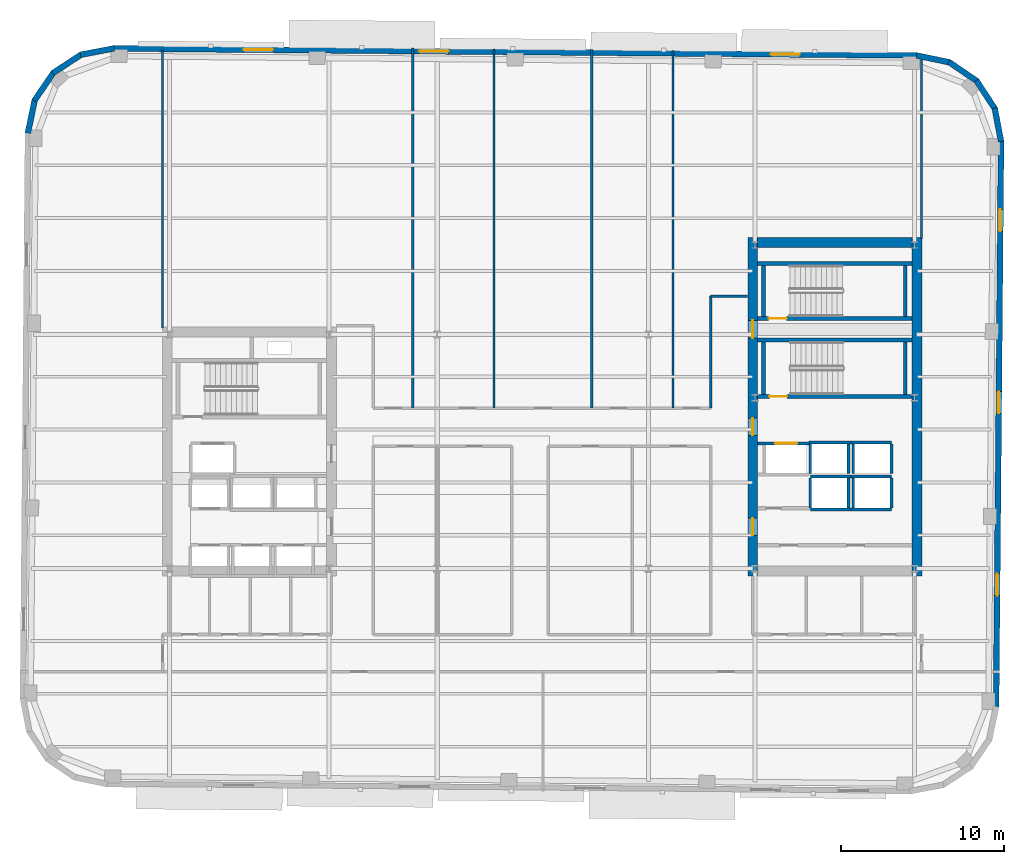
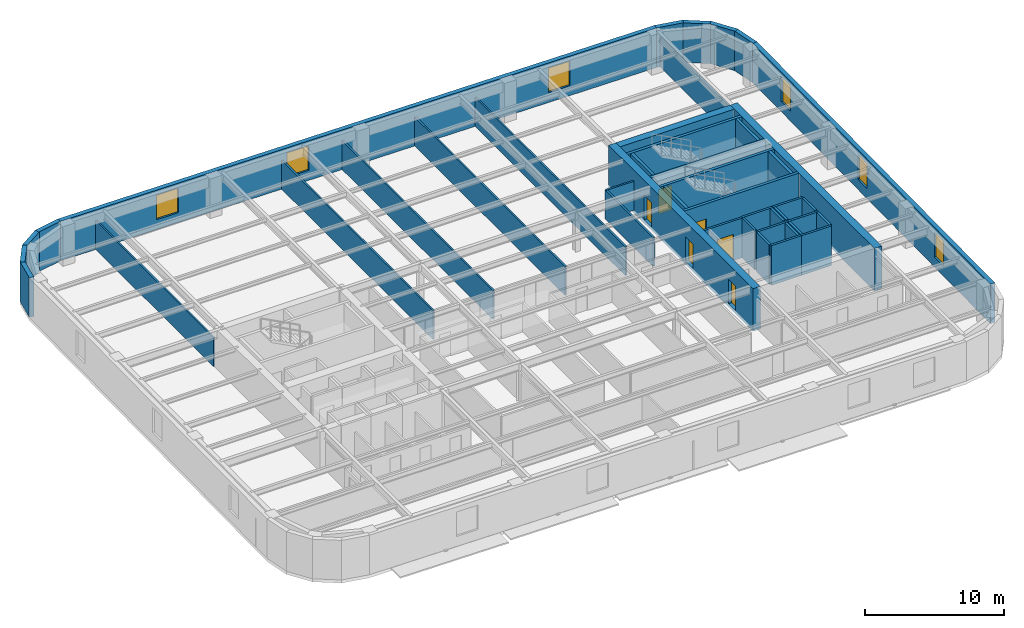
# One storey, part 6 of 11: 44 walls, 6 doors, 6 windows, 12 openings.
"""IFC4 building model written with IfcOpenShell, lengths in metres."""

from ifc_helpers import new_model, si_unit, direction, frame, frame_2d, origin, place, context, subcontext, project, spatial, rectangle, extrude, material, layer, layer_set, type_object, element, fill, save


model = new_model("IFC4")

# Units and contexts
model_context = context("Model", 3, precision=1e-05, world=origin(), true_north=direction((0.0, 1.0)))
body_context = subcontext(model_context, "Body", "Model", "MODEL_VIEW")
ifc_project = project(units=[si_unit("LENGTHUNIT", "METRE"), si_unit("AREAUNIT", "SQUARE_METRE"), si_unit("VOLUMEUNIT", "CUBIC_METRE"), si_unit("PLANEANGLEUNIT", "RADIAN"), si_unit("MASSUNIT", "GRAM", prefix="KILO")], contexts=[model_context])

# Site, building, storey
site_placement = place(None, origin())
site = spatial("IfcSite", under=ifc_project, at=site_placement, CompositionType="ELEMENT")
building_placement = place(site_placement, origin())
building = spatial("IfcBuilding", under=site, at=building_placement, Name="Kolvaren Arena Tower", CompositionType="ELEMENT")
storey_placement = place(building_placement, frame((0.0, 0.0, 180.949951171875)))
storey = spatial("IfcBuildingStorey", under=building, at=storey_placement, Name="L43", CompositionType="ELEMENT", Elevation=180.949951171875)

# Walls
ifc_material_1 = material(Name="Gypsum board acoustic assembly", Category="gypsum")
ifc_layer_1 = layer(ifc_material_1, 0.159912109375)
ifc_layer_set_1 = layer_set([ifc_layer_1], Name="Gypsum board acoustic assembly")
wall_type_1 = type_object("IfcWallType", Name="CORR-160", PredefinedType="PARTITIONING", material=ifc_layer_set_1)
wall_1_placement = place(storey_placement, frame((47.820068359375, 29.320068359375, 0.0), z_axis=(0.0, 0.0, 1.0), x_axis=(0.0, 1.0, 0.0)))
element("IfcWall", 1, at=wall_1_placement, inside=storey, type_object=wall_type_1, Name="Interior Partition Wall (L43)", PredefinedType="PARTITIONING", context=body_context, shape_type="SweptSolid", body=[
    extrude(rectangle(XDim=6.8798828125, YDim=0.159912109375, at=frame_2d((3.43994140625, 0.0))), origin(), (0.0, 0.0, 1.0), 2.5400390625),
])
wall_2_placement = place(storey_placement, frame((47.820068359375, 36.199951171875, 0.0), z_axis=(0.0, 0.0, 1.0), x_axis=(1.0, 0.0, 0.0)))
element("IfcWall", 2, at=wall_2_placement, inside=storey, type_object=wall_type_1, Name="Interior Partition Wall (L43)", PredefinedType="PARTITIONING", context=body_context, shape_type="SweptSolid", body=[
    extrude(rectangle(XDim=2.260009765625, YDim=0.159912109375, at=frame_2d((1.1298828125, 0.0))), origin(), (0.0, 0.0, 1.0), 2.5400390625),
])

# Wall, openings, doors
ifc_material_2 = material(Name="Concrete 60 MPa", Category="concrete")
ifc_layer_2 = layer(ifc_material_2, 0.60009765625)
ifc_layer_set_2 = layer_set([ifc_layer_2], Name="Concrete 60 MPa")
wall_type_2 = type_object("IfcWallType", Name="CWALL-600", PredefinedType="SHEAR", material=ifc_layer_set_2)
wall_3_placement = place(storey_placement, frame((50.39990234375, 19.0, -0.27001953125), z_axis=(0.0, 0.0, 1.0), x_axis=(0.0, 1.0, 0.0)))
wall_3 = element("IfcWall", 3, at=wall_3_placement, inside=storey, type_object=wall_type_2, Name="Core Shear Wall EC-WEST (L43)", PredefinedType="SHEAR", context=body_context, shape_type="SweptSolid", body=[
    extrude(rectangle(XDim=20.800048828125, YDim=0.60009765625, at=frame_2d((10.39990234375, 0.0))), origin(), (0.0, 0.0, 1.0), 3.75),
])
opening_1_placement = place(wall_3_placement, frame((2.5, 0.0, 0.27001953125)))
opening_1 = element("IfcOpeningElement", 4, at=opening_1_placement, cuts=wall_3, Name="Opening D04", PredefinedType="OPENING", context=body_context, shape_type="SweptSolid", body=[
    extrude(rectangle(XDim=1.050048828125, YDim=2.14990234375, at=frame_2d((0.52490234375, 1.074951171875))), frame((0.0, 0.31005859375, 0.0), z_axis=(0.0, -1.0, 0.0), x_axis=(1.0, 0.0, 0.0)), (0.0, 0.0, 1.0), 0.6201171875),
])
opening_2_placement = place(wall_3_placement, frame((8.64990234375, 0.0, 0.27001953125)))
opening_2 = element("IfcOpeningElement", 5, at=opening_2_placement, cuts=wall_3, Name="Opening D04", PredefinedType="OPENING", context=body_context, shape_type="SweptSolid", body=[
    extrude(rectangle(XDim=1.050048828125, YDim=2.14990234375, at=frame_2d((0.52490234375, 1.074951171875))), frame((0.0, 0.31005859375, 0.0), z_axis=(0.0, -1.0, 0.0), x_axis=(1.0, 0.0, 0.0)), (0.0, 0.0, 1.0), 0.6201171875),
])
opening_3_placement = place(wall_3_placement, frame((14.6201171875, 0.0, 0.27001953125)))
opening_3 = element("IfcOpeningElement", 6, at=opening_3_placement, cuts=wall_3, Name="Opening D03", PredefinedType="OPENING", context=body_context, shape_type="SweptSolid", body=[
    extrude(rectangle(XDim=1.10009765625, YDim=2.14990234375, at=frame_2d((0.550048828125, 1.074951171875))), frame((0.0, 0.31005859375, 0.0), z_axis=(0.0, -1.0, 0.0), x_axis=(1.0, 0.0, 0.0)), (0.0, 0.0, 1.0), 0.6201171875),
])
ifc_material_3 = material(Name="Fire-rated steel lobby door", Category="steel")
door_type_1 = type_object("IfcDoorType", Name="DOOR-FF-105", OperationType="NOTDEFINED", PredefinedType="DOOR", material=ifc_material_3)
door_1_placement = place(opening_1_placement, origin())
door_1 = element("IfcDoor", 7, at=door_1_placement, inside=storey, type_object=door_type_1, Name="East Lift Lobby Fire Door (L43)", OperationType="SINGLE_SWING_RIGHT", OverallHeight=2.14990234375, OverallWidth=1.050048828125, PredefinedType="DOOR", context=body_context, shape_type="SweptSolid", body=[
    extrude(rectangle(XDim=1.050048828125, YDim=2.14990234375, at=frame_2d((0.52490234375, 1.074951171875))), frame((0.0, 0.02490234375, 0.0), z_axis=(0.0, -1.0, 0.0), x_axis=(1.0, 0.0, 0.0)), (0.0, 0.0, 1.0), 0.050048828125),
])
fill(opening_1, door_1)
door_2_placement = place(opening_2_placement, origin())
door_2 = element("IfcDoor", 8, at=door_2_placement, inside=storey, type_object=door_type_1, Name="East Firefighter Vestibule Door (L43)", OperationType="SINGLE_SWING_LEFT", OverallHeight=2.14990234375, OverallWidth=1.050048828125, PredefinedType="DOOR", context=body_context, shape_type="SweptSolid", body=[
    extrude(rectangle(XDim=1.050048828125, YDim=2.14990234375, at=frame_2d((0.52490234375, 1.074951171875))), frame((0.0, 0.02490234375, 0.0), z_axis=(0.0, -1.0, 0.0), x_axis=(1.0, 0.0, 0.0)), (0.0, 0.0, 1.0), 0.050048828125),
])
fill(opening_2, door_2)
ifc_material_4 = material(Name="Fire-rated steel exit stair door", Category="steel")
door_type_2 = type_object("IfcDoorType", Name="DOOR-ST-110", OperationType="NOTDEFINED", PredefinedType="DOOR", material=ifc_material_4)
door_3_placement = place(opening_3_placement, origin())
door_3 = element("IfcDoor", 9, at=door_3_placement, inside=storey, type_object=door_type_2, Name="Stair ST-E2 Vestibule Fire Door (L43)", OperationType="SINGLE_SWING_LEFT", OverallHeight=2.14990234375, OverallWidth=1.10009765625, PredefinedType="DOOR", context=body_context, shape_type="SweptSolid", body=[
    extrude(rectangle(XDim=1.10009765625, YDim=2.14990234375, at=frame_2d((0.550048828125, 1.074951171875))), frame((0.0, 0.02490234375, 0.0), z_axis=(0.0, -1.0, 0.0), x_axis=(1.0, 0.0, 0.0)), (0.0, 0.0, 1.0), 0.050048828125),
])
fill(opening_3, door_3)

# Walls
wall_4_placement = place(storey_placement, frame((60.5, 19.0, -0.27001953125), z_axis=(0.0, 0.0, 1.0), x_axis=(0.0, 1.0, 0.0)))
element("IfcWall", 10, at=wall_4_placement, inside=storey, type_object=wall_type_2, Name="Core Shear Wall EC-EAST (L43)", PredefinedType="SHEAR", context=body_context, shape_type="SweptSolid", body=[
    extrude(rectangle(XDim=20.800048828125, YDim=0.60009765625, at=frame_2d((10.39990234375, 0.0))), origin(), (0.0, 0.0, 1.0), 3.75),
])
wall_5_placement = place(storey_placement, frame((50.699951171875, 39.5, -0.27001953125), z_axis=(0.0, 0.0, 1.0), x_axis=(1.0, 0.0, 0.0)))
element("IfcWall", 11, at=wall_5_placement, inside=storey, type_object=wall_type_2, Name="Core Shear Wall EC-NORTH (L43)", PredefinedType="SHEAR", context=body_context, shape_type="SweptSolid", body=[
    extrude(rectangle(XDim=9.5, YDim=0.60009765625, at=frame_2d((4.75, 0.0))), origin(), (0.0, 0.0, 1.0), 3.75),
])

# Wall, openings, windows
ifc_material_5 = material(Name="Precast concrete C50/60", Category="concrete")
ifc_layer_3 = layer(ifc_material_5, 0.360107421875)
ifc_layer_set_3 = layer_set([ifc_layer_3], Name="Precast concrete C50/60")
wall_type_3 = type_object("IfcWallType", Name="EXT-PIER2", PredefinedType="SOLIDWALL", material=ifc_layer_set_3)
wall_6_placement = place(storey_placement, frame((65.670654296875, 45.73828125, 0.0), z_axis=(0.0, 0.0, 1.0), x_axis=(-0.008727348535, -0.999961915969, 0.0)))
wall_6 = element("IfcWall", 12, at=wall_6_placement, inside=storey, type_object=wall_type_3, Name="Exterior Precast Masonry-Frame Wall (L43)", PredefinedType="SOLIDWALL", context=body_context, shape_type="SweptSolid", body=[
    extrude(rectangle(XDim=34.7998046875, YDim=0.360107421875, at=frame_2d((17.39990234375, 0.0))), origin(), (0.0, 0.0, 1.0), 3.47998046875),
])
opening_4_placement = place(wall_6_placement, frame((4.199951171875, 0.0, 0.8798828125)))
opening_4 = element("IfcOpeningElement", 13, at=opening_4_placement, cuts=wall_6, Name="Opening W04", PredefinedType="OPENING", context=body_context, shape_type="SweptSolid", body=[
    extrude(rectangle(XDim=1.35009765625, YDim=2.199951171875, at=frame_2d((0.675048828125, 1.10009765625))), frame((0.0, 0.18994140625, 0.0), z_axis=(0.0, -1.0, 0.0), x_axis=(1.0, 0.0, 0.0)), (0.0, 0.0, 1.0), 0.380126953125),
])
opening_5_placement = place(wall_6_placement, frame((15.39990234375, 0.0, 0.8798828125)))
opening_5 = element("IfcOpeningElement", 14, at=opening_5_placement, cuts=wall_6, Name="Opening W04", PredefinedType="OPENING", context=body_context, shape_type="SweptSolid", body=[
    extrude(rectangle(XDim=1.35009765625, YDim=2.199951171875, at=frame_2d((0.675048828125, 1.10009765625))), frame((0.0, 0.18994140625, 0.0), z_axis=(0.0, -1.0, 0.0), x_axis=(1.0, 0.0, 0.0)), (0.0, 0.0, 1.0), 0.380126953125),
])
opening_6_placement = place(wall_6_placement, frame((26.60009765625, 0.0, 0.8798828125)))
opening_6 = element("IfcOpeningElement", 15, at=opening_6_placement, cuts=wall_6, Name="Opening W04", PredefinedType="OPENING", context=body_context, shape_type="SweptSolid", body=[
    extrude(rectangle(XDim=1.35009765625, YDim=2.199951171875, at=frame_2d((0.675048828125, 1.10009765625))), frame((0.0, 0.18994140625, 0.0), z_axis=(0.0, -1.0, 0.0), x_axis=(1.0, 0.0, 0.0)), (0.0, 0.0, 1.0), 0.380126953125),
])
ifc_material_6 = material(Name="Triple-glazed curved-facet corner window", Category="glass")
window_type_1 = type_object("IfcWindowType", Name="WIN-CRN-A", PartitioningType="SINGLE_PANEL", PredefinedType="WINDOW", material=ifc_material_6)
window_1_placement = place(opening_4_placement, origin())
window_1 = element("IfcWindow", 16, at=window_1_placement, inside=storey, type_object=window_type_1, Name="End-Wall Punched Window (L43)", OverallHeight=2.199951171875, OverallWidth=1.35009765625, PartitioningType="SINGLE_PANEL", PredefinedType="WINDOW", context=body_context, shape_type="SweptSolid", body=[
    extrude(rectangle(XDim=1.35009765625, YDim=2.199951171875, at=frame_2d((0.675048828125, 1.10009765625))), frame((0.0, 0.030029296875, 0.0), z_axis=(0.0, -1.0, 0.0), x_axis=(1.0, 0.0, 0.0)), (0.0, 0.0, 1.0), 0.06005859375),
])
fill(opening_4, window_1)
window_2_placement = place(opening_5_placement, origin())
window_2 = element("IfcWindow", 17, at=window_2_placement, inside=storey, type_object=window_type_1, Name="End-Wall Punched Window (L43)", OverallHeight=2.199951171875, OverallWidth=1.35009765625, PartitioningType="SINGLE_PANEL", PredefinedType="WINDOW", context=body_context, shape_type="SweptSolid", body=[
    extrude(rectangle(XDim=1.35009765625, YDim=2.199951171875, at=frame_2d((0.675048828125, 1.10009765625))), frame((0.0, 0.030029296875, 0.0), z_axis=(0.0, -1.0, 0.0), x_axis=(1.0, 0.0, 0.0)), (0.0, 0.0, 1.0), 0.06005859375),
])
fill(opening_5, window_2)
window_3_placement = place(opening_6_placement, origin())
window_3 = element("IfcWindow", 18, at=window_3_placement, inside=storey, type_object=window_type_1, Name="End-Wall Punched Window (L43)", OverallHeight=2.199951171875, OverallWidth=1.35009765625, PartitioningType="SINGLE_PANEL", PredefinedType="WINDOW", context=body_context, shape_type="SweptSolid", body=[
    extrude(rectangle(XDim=1.35009765625, YDim=2.199951171875, at=frame_2d((0.675048828125, 1.10009765625))), frame((0.0, 0.030029296875, 0.0), z_axis=(0.0, -1.0, 0.0), x_axis=(1.0, 0.0, 0.0)), (0.0, 0.0, 1.0), 0.06005859375),
])
fill(opening_6, window_3)

# Walls
wall_7_placement = place(storey_placement, frame((65.281005859375, 47.773193359375, 0.0), z_axis=(0.0, 0.0, 1.0), x_axis=(0.186435855703, -0.98246713518, 0.0)))
element("IfcWall", 19, at=wall_7_placement, inside=storey, type_object=wall_type_3, Name="Exterior Precast Masonry-Frame Wall (L43)", PredefinedType="SOLIDWALL", context=body_context, shape_type="SweptSolid", body=[
    extrude(rectangle(XDim=2.10693359375, YDim=0.360107421875, at=frame_2d((1.053466796875, 0.0))), origin(), (0.0, 0.0, 1.0), 3.47998046875),
])
wall_8_placement = place(storey_placement, frame((64.152099609375, 49.469970703125, 0.0), z_axis=(0.0, 0.0, 1.0), x_axis=(0.548238722478, -0.83632188969, 0.0)))
element("IfcWall", 20, at=wall_8_placement, inside=storey, type_object=wall_type_3, Name="Exterior Precast Masonry-Frame Wall (L43)", PredefinedType="SOLIDWALL", context=body_context, shape_type="SweptSolid", body=[
    extrude(rectangle(XDim=2.106689453125, YDim=0.360107421875, at=frame_2d((1.05322265625, 0.0))), origin(), (0.0, 0.0, 1.0), 3.47998046875),
])
wall_9_placement = place(storey_placement, frame((62.45947265625, 50.605712890625, 0.0), z_axis=(0.0, 0.0, 1.0), x_axis=(0.826609569219, -0.56277581689, 0.0)))
element("IfcWall", 21, at=wall_9_placement, inside=storey, type_object=wall_type_3, Name="Exterior Precast Masonry-Frame Wall (L43)", PredefinedType="SOLIDWALL", context=body_context, shape_type="SweptSolid", body=[
    extrude(rectangle(XDim=2.10693359375, YDim=0.360107421875, at=frame_2d((1.053466796875, 0.0))), origin(), (0.0, 0.0, 1.0), 3.47998046875),
])
wall_10_placement = place(storey_placement, frame((60.461181640625, 51.00732421875, 0.0), z_axis=(0.0, 0.0, 1.0), x_axis=(0.979059388908, -0.203574833883, 0.0)))
element("IfcWall", 22, at=wall_10_placement, inside=storey, type_object=wall_type_3, Name="Exterior Precast Masonry-Frame Wall (L43)", PredefinedType="SOLIDWALL", context=body_context, shape_type="SweptSolid", body=[
    extrude(rectangle(XDim=2.107177734375, YDim=0.360107421875, at=frame_2d((1.0537109375, 0.0))), origin(), (0.0, 0.0, 1.0), 3.47998046875),
])

# Wall, openings, windows
wall_11_placement = place(storey_placement, frame((11.098388671875, 51.434814453125, 0.0), z_axis=(0.0, 0.0, 1.0), x_axis=(0.99996191194, -0.008727810138, 0.0)))
wall_11 = element("IfcWall", 23, at=wall_11_placement, inside=storey, type_object=wall_type_3, Name="Exterior Precast Masonry-Frame Wall (L43)", PredefinedType="SOLIDWALL", context=body_context, shape_type="SweptSolid", body=[
    extrude(rectangle(XDim=49.39990234375, YDim=0.360107421875, at=frame_2d((24.699951171875, 0.0))), origin(), (0.0, 0.0, 1.0), 3.47998046875),
])
opening_7_placement = place(wall_11_placement, frame((8.0, 0.0, 0.8798828125)))
opening_7 = element("IfcOpeningElement", 24, at=opening_7_placement, cuts=wall_11, Name="Opening W02", PredefinedType="OPENING", context=body_context, shape_type="SweptSolid", body=[
    extrude(rectangle(XDim=1.800048828125, YDim=2.14990234375, at=frame_2d((0.89990234375, 1.074951171875))), frame((0.0, 0.18994140625, 0.0), z_axis=(0.0, -1.0, 0.0), x_axis=(1.0, 0.0, 0.0)), (0.0, 0.0, 1.0), 0.380126953125),
])
opening_8_placement = place(wall_11_placement, frame((18.800048828125, 0.0, 0.8798828125)))
opening_8 = element("IfcOpeningElement", 25, at=opening_8_placement, cuts=wall_11, Name="Opening W02", PredefinedType="OPENING", context=body_context, shape_type="SweptSolid", body=[
    extrude(rectangle(XDim=1.800048828125, YDim=2.14990234375, at=frame_2d((0.89990234375, 1.074951171875))), frame((0.0, 0.18994140625, 0.0), z_axis=(0.0, -1.0, 0.0), x_axis=(1.0, 0.0, 0.0)), (0.0, 0.0, 1.0), 0.380126953125),
])
opening_9_placement = place(wall_11_placement, frame((40.39990234375, 0.0, 0.8798828125)))
opening_9 = element("IfcOpeningElement", 26, at=opening_9_placement, cuts=wall_11, Name="Opening W02", PredefinedType="OPENING", context=body_context, shape_type="SweptSolid", body=[
    extrude(rectangle(XDim=1.800048828125, YDim=2.14990234375, at=frame_2d((0.89990234375, 1.074951171875))), frame((0.0, 0.18994140625, 0.0), z_axis=(0.0, -1.0, 0.0), x_axis=(1.0, 0.0, 0.0)), (0.0, 0.0, 1.0), 0.380126953125),
])
ifc_material_7 = material(Name="Triple-glazed low-E aluminium window", Category="aluminium")
window_type_2 = type_object("IfcWindowType", Name="WIN-OFF-B", PartitioningType="DOUBLE_PANEL_VERTICAL", PredefinedType="WINDOW", material=ifc_material_7)
window_4_placement = place(opening_7_placement, origin())
window_4 = element("IfcWindow", 27, at=window_4_placement, inside=storey, type_object=window_type_2, Name="Punched Precast-Pier Window (L43)", OverallHeight=2.14990234375, OverallWidth=1.800048828125, PartitioningType="DOUBLE_PANEL_VERTICAL", PredefinedType="WINDOW", context=body_context, shape_type="SweptSolid", body=[
    extrude(rectangle(XDim=1.800048828125, YDim=2.14990234375, at=frame_2d((0.89990234375, 1.074951171875))), frame((0.0, 0.030029296875, 0.0), z_axis=(0.0, -1.0, 0.0), x_axis=(1.0, 0.0, 0.0)), (0.0, 0.0, 1.0), 0.06005859375),
])
fill(opening_7, window_4)
window_5_placement = place(opening_8_placement, origin())
window_5 = element("IfcWindow", 28, at=window_5_placement, inside=storey, type_object=window_type_2, Name="Punched Precast-Pier Window (L43)", OverallHeight=2.14990234375, OverallWidth=1.800048828125, PartitioningType="DOUBLE_PANEL_VERTICAL", PredefinedType="WINDOW", context=body_context, shape_type="SweptSolid", body=[
    extrude(rectangle(XDim=1.800048828125, YDim=2.14990234375, at=frame_2d((0.89990234375, 1.074951171875))), frame((0.0, 0.030029296875, 0.0), z_axis=(0.0, -1.0, 0.0), x_axis=(1.0, 0.0, 0.0)), (0.0, 0.0, 1.0), 0.06005859375),
])
fill(opening_8, window_5)
window_6_placement = place(opening_9_placement, origin())
window_6 = element("IfcWindow", 29, at=window_6_placement, inside=storey, type_object=window_type_2, Name="Punched Precast-Pier Window (L43)", OverallHeight=2.14990234375, OverallWidth=1.800048828125, PartitioningType="DOUBLE_PANEL_VERTICAL", PredefinedType="WINDOW", context=body_context, shape_type="SweptSolid", body=[
    extrude(rectangle(XDim=1.800048828125, YDim=2.14990234375, at=frame_2d((0.89990234375, 1.074951171875))), frame((0.0, 0.030029296875, 0.0), z_axis=(0.0, -1.0, 0.0), x_axis=(1.0, 0.0, 0.0)), (0.0, 0.0, 1.0), 0.06005859375),
])
fill(opening_9, window_6)

# Walls
wall_12_placement = place(storey_placement, frame((9.0634765625, 51.044921875, 0.0), z_axis=(0.0, 0.0, 1.0), x_axis=(0.982445905584, 0.186547695246, 0.0)))
element("IfcWall", 30, at=wall_12_placement, inside=storey, type_object=wall_type_3, Name="Exterior Precast Masonry-Frame Wall (L43)", PredefinedType="SOLIDWALL", context=body_context, shape_type="SweptSolid", body=[
    extrude(rectangle(XDim=2.107177734375, YDim=0.360107421875, at=frame_2d((1.0537109375, 0.0))), origin(), (0.0, 0.0, 1.0), 3.47998046875),
])
for number, where, z_axis, x_axis, name in (
    (31, (7.36669921875, 49.916015625, 0.0), (0.0, 0.0, 1.0), (0.836268756678, 0.548319766745, 0.0), "Exterior Precast Masonry-Frame Wall (L43)"),
    (32, (6.23095703125, 48.223388671875, 0.0), (0.0, 0.0, 1.0), (0.56277581689, 0.826609569219, 0.0), "Exterior Precast Masonry-Frame Wall (L43)"),
    (33, (5.8291015625, 46.225341796875, 0.0), (0.0, 0.0, 1.0), (0.203709000552, 0.979031482177, 0.0), "Exterior Precast Masonry-Frame Wall (L43)"),
):
    element("IfcWall", number, at=place(storey_placement, frame(where, z_axis=z_axis, x_axis=x_axis)), inside=storey, type_object=wall_type_3, Name=name, PredefinedType="SOLIDWALL", context=body_context, shape_type="SweptSolid", body=[
        extrude(rectangle(XDim=2.10693359375, YDim=0.360107421875, at=frame_2d((1.053466796875, 0.0))), origin(), (0.0, 0.0, 1.0), 3.47998046875),
    ])
ifc_material_8 = material(Name="Gypsum board partition assembly", Category="gypsum")
ifc_layer_4 = layer(ifc_material_8, 0.135009765625)
ifc_layer_set_4 = layer_set([ifc_layer_4], Name="Gypsum board partition assembly")
wall_type_4 = type_object("IfcWallType", Name="PART-135", PredefinedType="PARTITIONING", material=ifc_layer_set_4)
wall_13_placement = place(storey_placement, frame((29.5, 29.320068359375, 0.0), z_axis=(0.0, 0.0, 1.0), x_axis=(0.0, 1.0, 0.0)))
element("IfcWall", 34, at=wall_13_placement, inside=storey, type_object=wall_type_4, Name="Interior Partition Wall (L43)", PredefinedType="PARTITIONING", context=body_context, shape_type="SweptSolid", body=[
    extrude(rectangle(XDim=22.134033203125, YDim=0.135009765625, at=frame_2d((11.06689453125, 0.0))), origin(), (0.0, 0.0, 1.0), 2.5400390625),
])
wall_14_placement = place(storey_placement, frame((34.5, 29.320068359375, 0.0), z_axis=(0.0, 0.0, 1.0), x_axis=(0.0, 1.0, 0.0)))
element("IfcWall", 35, at=wall_14_placement, inside=storey, type_object=wall_type_4, Name="Interior Partition Wall (L43)", PredefinedType="PARTITIONING", context=body_context, shape_type="SweptSolid", body=[
    extrude(rectangle(XDim=22.09033203125, YDim=0.135009765625, at=frame_2d((11.045166015625, 0.0))), origin(), (0.0, 0.0, 1.0), 2.5400390625),
])
wall_15_placement = place(storey_placement, frame((40.5, 29.320068359375, 0.0), z_axis=(0.0, 0.0, 1.0), x_axis=(0.0, 1.0, 0.0)))
element("IfcWall", 36, at=wall_15_placement, inside=storey, type_object=wall_type_4, Name="Interior Partition Wall (L43)", PredefinedType="PARTITIONING", context=body_context, shape_type="SweptSolid", body=[
    extrude(rectangle(XDim=22.0380859375, YDim=0.135009765625, at=frame_2d((11.01904296875, 0.0))), origin(), (0.0, 0.0, 1.0), 2.5400390625),
])
wall_16_placement = place(storey_placement, frame((45.5, 29.320068359375, 0.0), z_axis=(0.0, 0.0, 1.0), x_axis=(0.0, 1.0, 0.0)))
element("IfcWall", 37, at=wall_16_placement, inside=storey, type_object=wall_type_4, Name="Interior Partition Wall (L43)", PredefinedType="PARTITIONING", context=body_context, shape_type="SweptSolid", body=[
    extrude(rectangle(XDim=21.994384765625, YDim=0.135009765625, at=frame_2d((10.9970703125, 0.0))), origin(), (0.0, 0.0, 1.0), 2.5400390625),
])
wall_17_placement = place(storey_placement, frame((14.1201171875, 34.25, 0.0), z_axis=(0.0, 0.0, 1.0), x_axis=(0.0, 1.0, 0.0)))
element("IfcWall", 38, at=wall_17_placement, inside=storey, type_object=wall_type_4, Name="Interior Partition Wall (L43)", PredefinedType="PARTITIONING", context=body_context, shape_type="SweptSolid", body=[
    extrude(rectangle(XDim=17.098388671875, YDim=0.135009765625, at=frame_2d((8.54931640625, 0.0))), origin(), (0.0, 0.0, 1.0), 2.5400390625),
])
wall_18_placement = place(storey_placement, frame((60.780029296875, 39.75, 0.0), z_axis=(0.0, 0.0, 1.0), x_axis=(0.0, 1.0, 0.0)))
element("IfcWall", 39, at=wall_18_placement, inside=storey, type_object=wall_type_4, Name="Interior Partition Wall (L43)", PredefinedType="PARTITIONING", context=body_context, shape_type="SweptSolid", body=[
    extrude(rectangle(XDim=11.1298828125, YDim=0.135009765625, at=frame_2d((5.56494140625, 0.0))), origin(), (0.0, 0.0, 1.0), 2.5400390625),
])

# Wall, opening, door
ifc_material_9 = material(Name="Concrete 45 MPa", Category="concrete")
ifc_layer_5 = layer(ifc_material_9, 0.25)
ifc_layer_set_5 = layer_set([ifc_layer_5], Name="Concrete 45 MPa")
wall_type_5 = type_object("IfcWallType", Name="SHAFT-250", PredefinedType="SOLIDWALL", material=ifc_layer_set_5)
wall_19_placement = place(storey_placement, frame((60.199951171875, 30.030029296875, 0.0), z_axis=(0.0, 0.0, 1.0), x_axis=(-1.0, 0.0, 0.0)))
wall_19 = element("IfcWall", 40, at=wall_19_placement, inside=storey, type_object=wall_type_5, Name="Core Shaft Wall (L43)", PredefinedType="SOLIDWALL", context=body_context, shape_type="SweptSolid", body=[
    extrude(rectangle(XDim=9.5, YDim=0.239990234375, at=frame_2d((4.75, 0.0))), origin(), (0.0, 0.0, 1.0), 3.47998046875),
])
opening_10_placement = place(wall_19_placement, frame((7.679931640625, 0.0, 0.0)))
opening_10 = element("IfcOpeningElement", 41, at=opening_10_placement, cuts=wall_19, Name="Opening D03", PredefinedType="OPENING", context=body_context, shape_type="SweptSolid", body=[
    extrude(rectangle(XDim=1.10009765625, YDim=2.14990234375, at=frame_2d((0.550048828125, 1.074951171875))), frame((0.0, 0.1298828125, 0.0), z_axis=(0.0, -1.0, 0.0), x_axis=(1.0, 0.0, 0.0)), (0.0, 0.0, 1.0), 0.260009765625),
])
door_4_placement = place(opening_10_placement, origin())
door_4 = element("IfcDoor", 42, at=door_4_placement, inside=storey, type_object=door_type_2, Name="Stair ST-E1 Fire Door (L43)", OperationType="SINGLE_SWING_LEFT", OverallHeight=2.14990234375, OverallWidth=1.10009765625, PredefinedType="DOOR", context=body_context, shape_type="SweptSolid", body=[
    extrude(rectangle(XDim=1.10009765625, YDim=2.14990234375, at=frame_2d((0.550048828125, 1.074951171875))), frame((0.0, 0.02490234375, 0.0), z_axis=(0.0, -1.0, 0.0), x_axis=(1.0, 0.0, 0.0)), (0.0, 0.0, 1.0), 0.050048828125),
])
fill(opening_10, door_4)

# Walls
wall_20_placement = place(storey_placement, frame((50.699951171875, 33.5, 0.0), z_axis=(0.0, 0.0, 1.0), x_axis=(1.0, 0.0, 0.0)))
element("IfcWall", 43, at=wall_20_placement, inside=storey, type_object=wall_type_5, Name="Core Shaft Wall (L43)", PredefinedType="SOLIDWALL", context=body_context, shape_type="SweptSolid", body=[
    extrude(rectangle(XDim=9.5, YDim=0.239990234375, at=frame_2d((4.75, 0.0))), origin(), (0.0, 0.0, 1.0), 3.47998046875),
])
for number, where, z_axis, x_axis, name in (
    (44, (51.06005859375, 30.14990234375, 0.0), (0.0, 0.0, 1.0), (0.0, 1.0, 0.0), "Core Shaft Wall (L43)"),
    (45, (59.780029296875, 30.14990234375, 0.0), (0.0, 0.0, 1.0), (0.0, 1.0, 0.0), "Core Shaft Wall (L43)"),
):
    element("IfcWall", number, at=place(storey_placement, frame(where, z_axis=z_axis, x_axis=x_axis)), inside=storey, type_object=wall_type_5, Name=name, PredefinedType="SOLIDWALL", context=body_context, shape_type="SweptSolid", body=[
        extrude(rectangle(XDim=3.22998046875, YDim=0.239990234375, at=frame_2d((1.614990234375, 0.0))), origin(), (0.0, 0.0, 1.0), 3.47998046875),
    ])

# Wall, opening, door
wall_21_placement = place(storey_placement, frame((60.199951171875, 34.830078125, 0.0), z_axis=(0.0, 0.0, 1.0), x_axis=(-1.0, 0.0, 0.0)))
wall_21 = element("IfcWall", 46, at=wall_21_placement, inside=storey, type_object=wall_type_5, Name="Core Shaft Wall (L43)", PredefinedType="SOLIDWALL", context=body_context, shape_type="SweptSolid", body=[
    extrude(rectangle(XDim=9.5, YDim=0.239990234375, at=frame_2d((4.75, 0.0))), origin(), (0.0, 0.0, 1.0), 3.47998046875),
])
opening_11_placement = place(wall_21_placement, frame((7.719970703125, 0.0, 0.0)))
opening_11 = element("IfcOpeningElement", 47, at=opening_11_placement, cuts=wall_21, Name="Opening D03", PredefinedType="OPENING", context=body_context, shape_type="SweptSolid", body=[
    extrude(rectangle(XDim=1.10009765625, YDim=2.14990234375, at=frame_2d((0.550048828125, 1.074951171875))), frame((0.0, 0.1298828125, 0.0), z_axis=(0.0, -1.0, 0.0), x_axis=(1.0, 0.0, 0.0)), (0.0, 0.0, 1.0), 0.260009765625),
])
door_5_placement = place(opening_11_placement, origin())
door_5 = element("IfcDoor", 48, at=door_5_placement, inside=storey, type_object=door_type_2, Name="Stair ST-E2 Fire Door (L43)", OperationType="SINGLE_SWING_LEFT", OverallHeight=2.14990234375, OverallWidth=1.10009765625, PredefinedType="DOOR", context=body_context, shape_type="SweptSolid", body=[
    extrude(rectangle(XDim=1.10009765625, YDim=2.14990234375, at=frame_2d((0.550048828125, 1.074951171875))), frame((0.0, 0.02490234375, 0.0), z_axis=(0.0, -1.0, 0.0), x_axis=(1.0, 0.0, 0.0)), (0.0, 0.0, 1.0), 0.050048828125),
])
fill(opening_11, door_5)

# Walls
wall_22_placement = place(storey_placement, frame((50.699951171875, 38.219970703125, 0.0), z_axis=(0.0, 0.0, 1.0), x_axis=(1.0, 0.0, 0.0)))
element("IfcWall", 49, at=wall_22_placement, inside=storey, type_object=wall_type_5, Name="Core Shaft Wall (L43)", PredefinedType="SOLIDWALL", context=body_context, shape_type="SweptSolid", body=[
    extrude(rectangle(XDim=9.5, YDim=0.239990234375, at=frame_2d((4.75, 0.0))), origin(), (0.0, 0.0, 1.0), 3.47998046875),
])
for number, where, z_axis, x_axis, name in (
    (50, (51.06005859375, 34.949951171875, 0.0), (0.0, 0.0, 1.0), (0.0, 1.0, 0.0), "Core Shaft Wall (L43)"),
    (51, (59.780029296875, 34.949951171875, 0.0), (0.0, 0.0, 1.0), (0.0, 1.0, 0.0), "Core Shaft Wall (L43)"),
):
    element("IfcWall", number, at=place(storey_placement, frame(where, z_axis=z_axis, x_axis=x_axis)), inside=storey, type_object=wall_type_5, Name=name, PredefinedType="SOLIDWALL", context=body_context, shape_type="SweptSolid", body=[
        extrude(rectangle(XDim=3.150146484375, YDim=0.239990234375, at=frame_2d((1.5751953125, 0.0))), origin(), (0.0, 0.0, 1.0), 3.47998046875),
    ])
for number, where, z_axis, x_axis, name in (
    (52, (53.93994140625, 25.10498046875, 0.0), (0.0, 0.0, 1.0), (1.0, 0.0, 0.0), "Core Shaft Wall (L43)"),
    (53, (53.93994140625, 23.094970703125, 0.0), (0.0, 0.0, 1.0), (1.0, 0.0, 0.0), "Core Shaft Wall (L43)"),
):
    element("IfcWall", number, at=place(storey_placement, frame(where, z_axis=z_axis, x_axis=x_axis)), inside=storey, type_object=wall_type_5, Name=name, PredefinedType="SOLIDWALL", context=body_context, shape_type="SweptSolid", body=[
        extrude(rectangle(XDim=2.5, YDim=0.179931640625, at=frame_2d((1.25, 0.0))), origin(), (0.0, 0.0, 1.0), 3.47998046875),
    ])
for number, where, z_axis, x_axis, name in (
    (54, (53.93994140625, 23.18505859375, 0.0), (0.0, 0.0, 1.0), (0.0, 1.0, 0.0), "Core Shaft Wall (L43)"),
    (55, (56.300048828125, 23.18505859375, 0.0), (0.0, 0.0, 1.0), (0.0, 1.0, 0.0), "Core Shaft Wall (L43)"),
):
    element("IfcWall", number, at=place(storey_placement, frame(where, z_axis=z_axis, x_axis=x_axis)), inside=storey, type_object=wall_type_5, Name=name, PredefinedType="SOLIDWALL", context=body_context, shape_type="SweptSolid", body=[
        extrude(rectangle(XDim=1.829833984375, YDim=0.179931640625, at=frame_2d((0.9150390625, 0.0))), origin(), (0.0, 0.0, 1.0), 3.47998046875),
    ])
for number, where, z_axis, x_axis, name in (
    (56, (56.43994140625, 25.10498046875, 0.0), (0.0, 0.0, 1.0), (1.0, 0.0, 0.0), "Core Shaft Wall (L43)"),
    (57, (56.43994140625, 23.094970703125, 0.0), (0.0, 0.0, 1.0), (1.0, 0.0, 0.0), "Core Shaft Wall (L43)"),
):
    element("IfcWall", number, at=place(storey_placement, frame(where, z_axis=z_axis, x_axis=x_axis)), inside=storey, type_object=wall_type_5, Name=name, PredefinedType="SOLIDWALL", context=body_context, shape_type="SweptSolid", body=[
        extrude(rectangle(XDim=2.5, YDim=0.179931640625, at=frame_2d((1.25, 0.0))), origin(), (0.0, 0.0, 1.0), 3.47998046875),
    ])
for number, where, z_axis, x_axis, name in (
    (58, (56.580078125, 23.18505859375, 0.0), (0.0, 0.0, 1.0), (0.0, 1.0, 0.0), "Core Shaft Wall (L43)"),
    (59, (58.93994140625, 23.18505859375, 0.0), (0.0, 0.0, 1.0), (0.0, 1.0, 0.0), "Core Shaft Wall (L43)"),
):
    element("IfcWall", number, at=place(storey_placement, frame(where, z_axis=z_axis, x_axis=x_axis)), inside=storey, type_object=wall_type_5, Name=name, PredefinedType="SOLIDWALL", context=body_context, shape_type="SweptSolid", body=[
        extrude(rectangle(XDim=1.829833984375, YDim=0.179931640625, at=frame_2d((0.9150390625, 0.0))), origin(), (0.0, 0.0, 1.0), 3.47998046875),
    ])
wall_23_placement = place(storey_placement, frame((53.864990234375, 27.205078125, 0.0), z_axis=(0.0, 0.0, 1.0), x_axis=(1.0, 0.0, 0.0)))
element("IfcWall", 60, at=wall_23_placement, inside=storey, type_object=wall_type_5, Name="Core Shaft Wall (L43)", PredefinedType="SOLIDWALL", context=body_context, shape_type="SweptSolid", body=[
    extrude(rectangle(XDim=2.574951171875, YDim=0.179931640625, at=frame_2d((1.28759765625, 0.0))), origin(), (0.0, 0.0, 1.0), 3.47998046875),
])
for number, where, z_axis, x_axis, name in (
    (61, (53.93994140625, 25.284912109375, 0.0), (0.0, 0.0, 1.0), (0.0, 1.0, 0.0), "Core Shaft Wall (L43)"),
    (62, (56.300048828125, 25.284912109375, 0.0), (0.0, 0.0, 1.0), (0.0, 1.0, 0.0), "Core Shaft Wall (L43)"),
):
    element("IfcWall", number, at=place(storey_placement, frame(where, z_axis=z_axis, x_axis=x_axis)), inside=storey, type_object=wall_type_5, Name=name, PredefinedType="SOLIDWALL", context=body_context, shape_type="SweptSolid", body=[
        extrude(rectangle(XDim=1.830078125, YDim=0.179931640625, at=frame_2d((0.9150390625, 0.0))), origin(), (0.0, 0.0, 1.0), 3.47998046875),
    ])
wall_24_placement = place(storey_placement, frame((56.43994140625, 27.205078125, 0.0), z_axis=(0.0, 0.0, 1.0), x_axis=(1.0, 0.0, 0.0)))
element("IfcWall", 63, at=wall_24_placement, inside=storey, type_object=wall_type_5, Name="Core Shaft Wall (L43)", PredefinedType="SOLIDWALL", context=body_context, shape_type="SweptSolid", body=[
    extrude(rectangle(XDim=2.5, YDim=0.179931640625, at=frame_2d((1.25, 0.0))), origin(), (0.0, 0.0, 1.0), 3.47998046875),
])
for number, where, z_axis, x_axis, name in (
    (64, (56.580078125, 25.284912109375, 0.0), (0.0, 0.0, 1.0), (0.0, 1.0, 0.0), "Core Shaft Wall (L43)"),
    (65, (58.93994140625, 25.284912109375, 0.0), (0.0, 0.0, 1.0), (0.0, 1.0, 0.0), "Core Shaft Wall (L43)"),
):
    element("IfcWall", number, at=place(storey_placement, frame(where, z_axis=z_axis, x_axis=x_axis)), inside=storey, type_object=wall_type_5, Name=name, PredefinedType="SOLIDWALL", context=body_context, shape_type="SweptSolid", body=[
        extrude(rectangle(XDim=1.830078125, YDim=0.179931640625, at=frame_2d((0.9150390625, 0.0))), origin(), (0.0, 0.0, 1.0), 3.47998046875),
    ])

# Wall, opening, door
wall_25_placement = place(storey_placement, frame((50.699951171875, 27.155029296875, 0.0), z_axis=(0.0, 0.0, 1.0), x_axis=(1.0, 0.0, 0.0)))
wall_25 = element("IfcWall", 66, at=wall_25_placement, inside=storey, type_object=wall_type_5, Name="Core Shaft Wall (L43)", PredefinedType="SOLIDWALL", context=body_context, shape_type="SweptSolid", body=[
    extrude(rectangle(XDim=3.1650390625, YDim=0.179931640625, at=frame_2d((1.58251953125, 0.0))), origin(), (0.0, 0.0, 1.0), 3.47998046875),
])
opening_12_placement = place(wall_25_placement, frame((1.0849609375, 0.0, 0.0)))
opening_12 = element("IfcOpeningElement", 67, at=opening_12_placement, cuts=wall_25, Name="Opening LD2", PredefinedType="OPENING", context=body_context, shape_type="SweptSolid", body=[
    extrude(rectangle(XDim=1.35009765625, YDim=2.300048828125, at=frame_2d((0.675048828125, 1.14990234375))), frame((0.0, 0.099853515625, 0.0), z_axis=(0.0, -1.0, 0.0), x_axis=(1.0, 0.0, 0.0)), (0.0, 0.0, 1.0), 0.199951171875),
])
ifc_material_10 = material(Name="Stainless steel firefighter lift landing door", Category="steel")
door_type_3 = type_object("IfcDoorType", Name="DOOR-LD-135", OperationType="DOUBLE_DOOR_SLIDING", PredefinedType="DOOR", material=ifc_material_10)
door_6_placement = place(opening_12_placement, origin())
door_6 = element("IfcDoor", 68, at=door_6_placement, inside=storey, type_object=door_type_3, Name="Firefighter Lift FF-E1 Landing Door (L43)", OperationType="DOUBLE_DOOR_SLIDING", OverallHeight=2.300048828125, OverallWidth=1.35009765625, PredefinedType="DOOR", context=body_context, shape_type="SweptSolid", body=[
    extrude(rectangle(XDim=1.35009765625, YDim=2.300048828125, at=frame_2d((0.675048828125, 1.14990234375))), frame((0.0, 0.02490234375, 0.0), z_axis=(0.0, -1.0, 0.0), x_axis=(1.0, 0.0, 0.0)), (0.0, 0.0, 1.0), 0.050048828125),
])
fill(opening_12, door_6)

save(model, "model.ifc")
